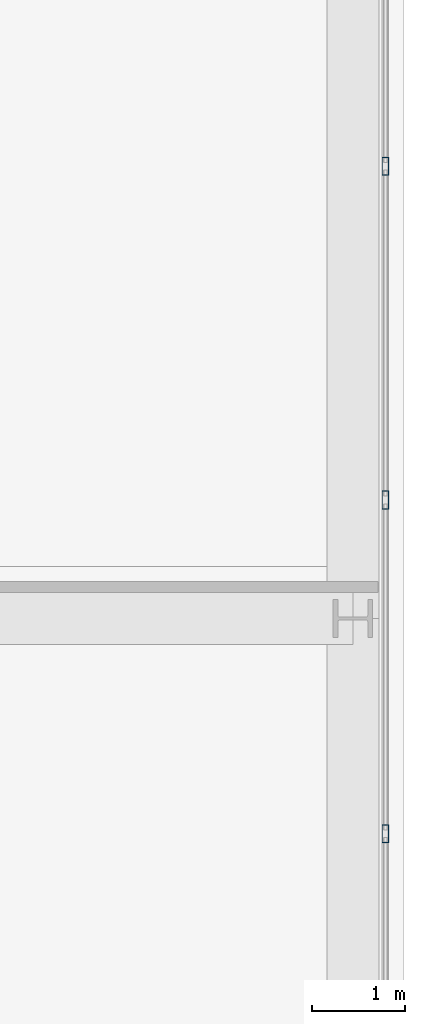
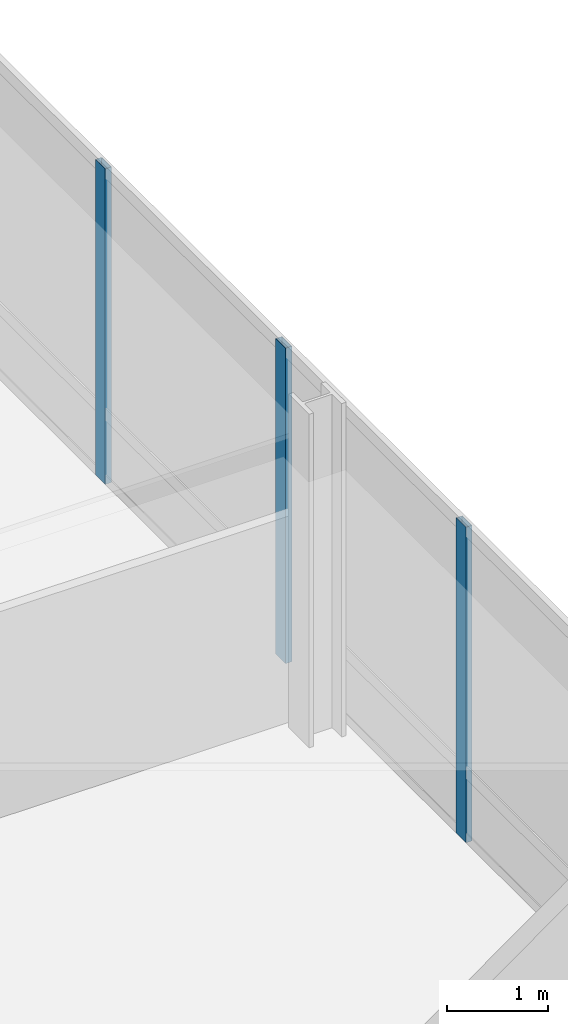
# One storey, part 18 of 41: 3 members, 1 element without a shape of its own.
"""IFC4 building model written with IfcOpenShell, lengths in metres."""

import ifcopenshell
import ifcopenshell.guid

model = None  # the IFC model being written
_history = None  # IfcOwnerHistory: only IFC2X3 demands one
_inside = {}  # id of a spatial element -> (the spatial element, [elements in it])
_under = {}  # id of a project, library or spatial element -> (it, [spatial elements below it])
_declared = {}  # id of a project -> (the project, [libraries it declares])
_typed = {}  # id of a type object -> (the type object, [elements of that type])
_made_of = {}  # id of a material, layer set ... -> (it, [elements and type objects made of it])


def new_model(schema):
    """Start an empty IFC model of exactly this schema.

    Asked for "IFC4X3", IfcOpenShell would pick the latest addendum, in which some entities
    have other attributes; the version numbers below select the first issue.
    IFC2X3 requires an IfcOwnerHistory on every rooted entity: one is made here for all.
    """
    global model, _history
    if schema == "IFC4X3":
        model = ifcopenshell.file(schema_version=(4, 3, 0, 0))
    else:
        model = ifcopenshell.file(schema=schema)
    _inside.clear()
    _under.clear()
    _declared.clear()
    _typed.clear()
    _made_of.clear()
    _history = None
    if model.schema == "IFC2X3":
        org = make("IfcOrganization", Name="unknown")
        user = make(
            "IfcPersonAndOrganization",
            ThePerson=make("IfcPerson", FamilyName="unknown"),
            TheOrganization=org,
        )
        app = make(
            "IfcApplication",
            ApplicationDeveloper=org,
            Version="unknown",
            ApplicationFullName="unknown",
            ApplicationIdentifier="unknown",
        )
        _history = make(
            "IfcOwnerHistory",
            OwningUser=user,
            OwningApplication=app,
            ChangeAction="ADDED",
            CreationDate=0,
        )
    return model


def make(cls, **values):
    """One entity of the class cls with the attributes given. An attribute that is None is left unset."""
    return model.create_entity(
        cls, **{name: value for name, value in values.items() if value is not None}
    )


def rooted(cls, **values):
    """An entity with a GlobalId (a new one), such as an element, a storey or a relation."""
    return make(cls, GlobalId=ifcopenshell.guid.new(), OwnerHistory=_history, **values)


def si_unit(unit_type, name, prefix=None):
    """IfcSIUnit, for example si_unit("LENGTHUNIT", "METRE", prefix="MILLI")."""
    return make("IfcSIUnit", UnitType=unit_type, Prefix=prefix, Name=name)


def assignment(units):
    """IfcUnitAssignment: the units of a project."""
    return None if units is None else make("IfcUnitAssignment", Units=units)


def point(xyz):
    """IfcCartesianPoint."""
    return None if xyz is None else make("IfcCartesianPoint", Coordinates=xyz)


def direction(xyz):
    """IfcDirection."""
    return None if xyz is None else make("IfcDirection", DirectionRatios=xyz)


def frame(location, z_axis=None, x_axis=None):
    """IfcAxis2Placement3D, a coordinate frame: its origin and axes. An axis left out is left unset."""
    return make(
        "IfcAxis2Placement3D",
        Location=point(location),
        Axis=direction(z_axis),
        RefDirection=direction(x_axis),
    )


def frame_2d(location, x_axis=None):
    """IfcAxis2Placement2D, a coordinate frame in the plane: its origin and x axis."""
    return make(
        "IfcAxis2Placement2D", Location=point(location), RefDirection=direction(x_axis)
    )


def origin():
    """The frame at (0, 0, 0) with its axes left unset."""
    return frame((0.0, 0.0, 0.0))


def origin_2d():
    """The frame at (0, 0) in the plane with its x axis left unset."""
    return frame_2d((0.0, 0.0))


def place(relative_to, where):
    """IfcLocalPlacement: puts the frame where relative to a parent placement (None: the world)."""
    return make(
        "IfcLocalPlacement", PlacementRelTo=relative_to, RelativePlacement=where
    )


def context(
    kind, dimensions, precision=None, world=None, true_north=None, identifier=None
):
    """IfcGeometricRepresentationContext, for example the 3D "Model" context."""
    return make(
        "IfcGeometricRepresentationContext",
        ContextIdentifier=identifier,
        ContextType=kind,
        CoordinateSpaceDimension=dimensions,
        Precision=precision,
        WorldCoordinateSystem=world,
        TrueNorth=true_north,
    )


def subcontext(parent, identifier, kind, view, scale=None):
    """IfcGeometricRepresentationSubContext, for example "Body" below "Model"."""
    return make(
        "IfcGeometricRepresentationSubContext",
        ContextIdentifier=identifier,
        ContextType=kind,
        ParentContext=parent,
        TargetScale=scale,
        TargetView=view,
    )


def project(units=None, contexts=None):
    """IfcProject with its units and contexts."""
    return rooted(
        "IfcProject",
        Name="project",
        RepresentationContexts=contexts,
        UnitsInContext=assignment(units),
    )


def spatial(cls, under=None, at=None, **own):
    """A site, building, storey or space (cls), placed at a placement, below another one or the project."""
    s = rooted(cls, ObjectPlacement=at, **own)
    if under is not None:
        _under.setdefault(under.id(), (under, []))[1].append(s)
    return s


def profile(cls, at=None, kind="AREA", **sizes):
    """A parametric profile (cls). Its sizes go by their IFC names, for example OverallWidth=200.0."""
    return make(cls, ProfileType=kind, Position=at, **sizes)


def hollow_rectangle(**sizes):
    """IfcRectangleHollowProfileDef."""
    return profile("IfcRectangleHollowProfileDef", **sizes)


def extrude(swept, where, along, depth):
    """IfcExtrudedAreaSolid: the profile swept, set in the frame where, extruded along a direction by depth."""
    return make(
        "IfcExtrudedAreaSolid",
        SweptArea=swept,
        Position=where,
        ExtrudedDirection=direction(along),
        Depth=depth,
    )


def shape(context_of_items, identifier, shape_type, items):
    """IfcShapeRepresentation: the items that make up one representation, for example the "Body"."""
    return make(
        "IfcShapeRepresentation",
        ContextOfItems=context_of_items,
        RepresentationIdentifier=identifier,
        RepresentationType=shape_type,
        Items=items,
    )


def material(Name=None, Category=None):
    """IfcMaterial."""
    return make("IfcMaterial", Name=Name, Category=Category)


def material_profile(
    of_material, cross_section, Name=None, Category=None, Priority=None
):
    """IfcMaterialProfile: a cross section and its material."""
    return make(
        "IfcMaterialProfile",
        Name=Name,
        Material=of_material,
        Profile=cross_section,
        Priority=Priority,
        Category=Category,
    )


def profile_set(profiles, Name=None, composite=None):
    """IfcMaterialProfileSet."""
    return make(
        "IfcMaterialProfileSet",
        Name=Name,
        MaterialProfiles=profiles,
        CompositeProfile=composite,
    )


def made_of(thing, what):
    """Note that an element or type object is made of a material, layer set ...; save() writes the relation."""
    if what is not None:
        _made_of.setdefault(what.id(), (what, []))[1].append(thing)
    return thing


def type_object(cls, material=None, **own):
    """A type object (cls), such as IfcWallType, which elements share."""
    return made_of(rooted(cls, **own), material)


def element(
    cls,
    number,
    at=None,
    inside=None,
    cuts=None,
    type_object=None,
    material=None,
    context=None,
    identifier="Body",
    shape_type=None,
    held_by="IfcProductDefinitionShape",
    body=None,
    shapes=None,
    **own,
):
    """One element of the class cls, such as IfcWall. Its Tag is "e" and its number.

    at: its placement. inside: the storey or other place that contains it. cuts: it is an
    opening in that element (IfcRelVoidsElement). A single representation is given by context,
    identifier, shape_type and body (its items); several are given by shapes. held_by: the class
    of the entity that holds the representations. save() writes the other relations.
    """
    e = rooted(cls, Tag="e%d" % number, ObjectPlacement=at, **own)
    if body is not None:
        shapes = [shape(context, identifier, shape_type, body)]
    if shapes is not None:
        e.Representation = make(held_by, Representations=shapes)
    if inside is not None:
        _inside.setdefault(inside.id(), (inside, []))[1].append(e)
    if cuts is not None:
        rooted(
            "IfcRelVoidsElement", RelatingBuildingElement=cuts, RelatedOpeningElement=e
        )
    if type_object is not None:
        _typed.setdefault(type_object.id(), (type_object, []))[1].append(e)
    return made_of(e, material)


def aggregate(whole, parts):
    """IfcRelAggregates: a whole, such as a stair, and the parts it consists of."""
    return rooted("IfcRelAggregates", RelatingObject=whole, RelatedObjects=parts)


def save(model, path):
    """Write the relations noted so far, then the file.

    IfcRelAggregates (storeys below a building ...), IfcRelContainedInSpatialStructure (elements
    in a storey), IfcRelDefinesByType, IfcRelAssociatesMaterial and IfcRelDeclares: one each for
    every whole, place, type object, material and project.
    """
    for whole, parts in _under.values():
        aggregate(whole, parts)
    for where, things in _inside.values():
        rooted(
            "IfcRelContainedInSpatialStructure",
            RelatedElements=things,
            RelatingStructure=where,
        )
    for kind, things in _typed.values():
        rooted("IfcRelDefinesByType", RelatedObjects=things, RelatingType=kind)
    for what, things in _made_of.values():
        rooted("IfcRelAssociatesMaterial", RelatedObjects=things, RelatingMaterial=what)
    for by, libraries in _declared.values():
        rooted("IfcRelDeclares", RelatingContext=by, RelatedDefinitions=libraries)
    model.write(path)


model = new_model("IFC4")

# Units and contexts
model_context = context("Model", 3, precision=1e-05, world=origin(), true_north=direction((0.0, 1.0)))
body_context = subcontext(model_context, "Body", "Model", "MODEL_VIEW")
ifc_project = project(units=[si_unit("LENGTHUNIT", "METRE"), si_unit("AREAUNIT", "SQUARE_METRE"), si_unit("VOLUMEUNIT", "CUBIC_METRE"), si_unit("PLANEANGLEUNIT", "RADIAN"), si_unit("MASSUNIT", "GRAM", prefix="KILO")], contexts=[model_context])

# Site, building, storey
site_placement = place(None, origin())
site = spatial("IfcSite", under=ifc_project, at=site_placement, CompositionType="ELEMENT")
building_placement = place(site_placement, origin())
building = spatial("IfcBuilding", under=site, at=building_placement, Name="Punatoya Terracotta Tower", CompositionType="ELEMENT")
storey_placement = place(building_placement, frame((0.0, 0.0, 220.800048828125)))
storey = spatial("IfcBuildingStorey", under=building, at=storey_placement, Name="L52", CompositionType="ELEMENT", Elevation=220.800048828125)

# Curtain wall, members
ifc_material_1 = material(Name="Aluminium 6063-T6 + Double Low-E Glass", Category="aluminium")
curtain_wall_type = type_object("IfcCurtainWallType", Name="CW-M2", PredefinedType="NOTDEFINED", material=ifc_material_1)
curtain_wall_placement = place(storey_placement, origin())
curtain_wall = element("IfcCurtainWall", 1, at=curtain_wall_placement, inside=storey, type_object=curtain_wall_type, Name="L52 Curtain Wall CW-L52-E04-1", PredefinedType="NOTDEFINED")
ifc_material_2 = material(Name="Aluminium 6063-T6", Category="aluminium")
ifc_material_profile = material_profile(ifc_material_2, hollow_rectangle(XDim=0.072021484375, YDim=0.195068359375, WallThickness=0.00439453125, at=origin_2d()))
ifc_profile_set = profile_set([ifc_material_profile], Name="Aluminium 6063-T6")
member_type = type_object("IfcMemberType", Name="CW-MUL-M2", PredefinedType="MULLION", material=ifc_profile_set)
member_1_placement = place(storey_placement, frame((24.85009765625, 1.087158203125, 0.0), z_axis=(0.0, 0.0, 1.0), x_axis=(1.0, 0.0, 0.0)))
member_1 = element("IfcMember", 2, at=member_1_placement, type_object=member_type, Name="CW-L52-E04-1 Mullion 05", PredefinedType="MULLION", context=body_context, shape_type="SweptSolid", body=[
    extrude(hollow_rectangle(XDim=0.072021484375, YDim=0.195068359375, WallThickness=0.00439453125, at=origin_2d()), origin(), (0.0, 0.0, 1.0), 3.829833984375),
])
member_2_placement = place(storey_placement, frame((24.85009765625, 4.674560546875, 0.0), z_axis=(0.0, 0.0, 1.0), x_axis=(1.0, 0.0, 0.0)))
member_2 = element("IfcMember", 3, at=member_2_placement, type_object=member_type, Name="CW-L52-E04-1 Mullion 06", PredefinedType="MULLION", context=body_context, shape_type="SweptSolid", body=[
    extrude(hollow_rectangle(XDim=0.072021484375, YDim=0.195068359375, WallThickness=0.00439453125, at=origin_2d()), origin(), (0.0, 0.0, 1.0), 3.829833984375),
])
member_3_placement = place(storey_placement, frame((24.85009765625, 8.261962890625, 0.0), z_axis=(0.0, 0.0, 1.0), x_axis=(1.0, 0.0, 0.0)))
member_3 = element("IfcMember", 4, at=member_3_placement, type_object=member_type, Name="CW-L52-E04-1 Mullion 07", PredefinedType="MULLION", context=body_context, shape_type="SweptSolid", body=[
    extrude(hollow_rectangle(XDim=0.072021484375, YDim=0.195068359375, WallThickness=0.00439453125, at=origin_2d()), origin(), (0.0, 0.0, 1.0), 3.829833984375),
])
aggregate(curtain_wall, [member_1, member_2, member_3])

save(model, "model.ifc")
